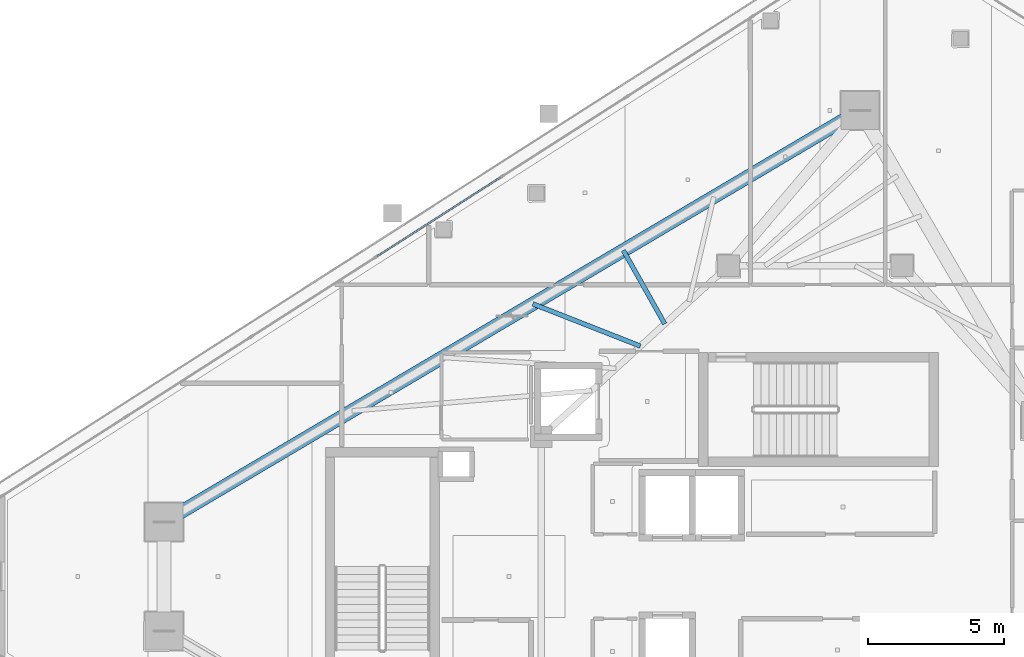
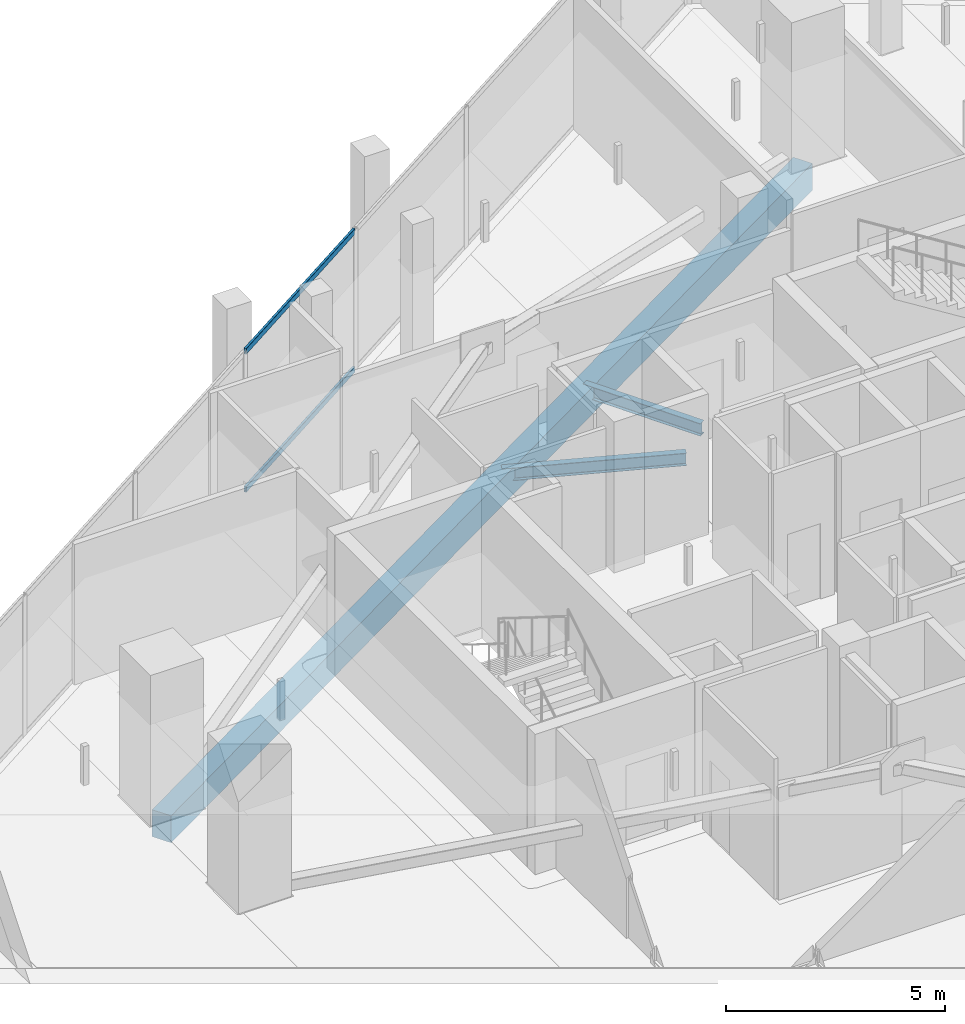
# One storey, part 14 of 30: 3 beams, 2 members, 1 element without a shape of its own.
"""IFC4 building model written with IfcOpenShell, lengths in metres."""

import ifcopenshell
import ifcopenshell.guid

model = None  # the IFC model being written
_history = None  # IfcOwnerHistory: only IFC2X3 demands one
_inside = {}  # id of a spatial element -> (the spatial element, [elements in it])
_under = {}  # id of a project, library or spatial element -> (it, [spatial elements below it])
_declared = {}  # id of a project -> (the project, [libraries it declares])
_typed = {}  # id of a type object -> (the type object, [elements of that type])
_made_of = {}  # id of a material, layer set ... -> (it, [elements and type objects made of it])


def new_model(schema):
    """Start an empty IFC model of exactly this schema.

    Asked for "IFC4X3", IfcOpenShell would pick the latest addendum, in which some entities
    have other attributes; the version numbers below select the first issue.
    IFC2X3 requires an IfcOwnerHistory on every rooted entity: one is made here for all.
    """
    global model, _history
    if schema == "IFC4X3":
        model = ifcopenshell.file(schema_version=(4, 3, 0, 0))
    else:
        model = ifcopenshell.file(schema=schema)
    _inside.clear()
    _under.clear()
    _declared.clear()
    _typed.clear()
    _made_of.clear()
    _history = None
    if model.schema == "IFC2X3":
        org = make("IfcOrganization", Name="unknown")
        user = make(
            "IfcPersonAndOrganization",
            ThePerson=make("IfcPerson", FamilyName="unknown"),
            TheOrganization=org,
        )
        app = make(
            "IfcApplication",
            ApplicationDeveloper=org,
            Version="unknown",
            ApplicationFullName="unknown",
            ApplicationIdentifier="unknown",
        )
        _history = make(
            "IfcOwnerHistory",
            OwningUser=user,
            OwningApplication=app,
            ChangeAction="ADDED",
            CreationDate=0,
        )
    return model


def make(cls, **values):
    """One entity of the class cls with the attributes given. An attribute that is None is left unset."""
    return model.create_entity(
        cls, **{name: value for name, value in values.items() if value is not None}
    )


def rooted(cls, **values):
    """An entity with a GlobalId (a new one), such as an element, a storey or a relation."""
    return make(cls, GlobalId=ifcopenshell.guid.new(), OwnerHistory=_history, **values)


def si_unit(unit_type, name, prefix=None):
    """IfcSIUnit, for example si_unit("LENGTHUNIT", "METRE", prefix="MILLI")."""
    return make("IfcSIUnit", UnitType=unit_type, Prefix=prefix, Name=name)


def assignment(units):
    """IfcUnitAssignment: the units of a project."""
    return None if units is None else make("IfcUnitAssignment", Units=units)


def point(xyz):
    """IfcCartesianPoint."""
    return None if xyz is None else make("IfcCartesianPoint", Coordinates=xyz)


def direction(xyz):
    """IfcDirection."""
    return None if xyz is None else make("IfcDirection", DirectionRatios=xyz)


def frame(location, z_axis=None, x_axis=None):
    """IfcAxis2Placement3D, a coordinate frame: its origin and axes. An axis left out is left unset."""
    return make(
        "IfcAxis2Placement3D",
        Location=point(location),
        Axis=direction(z_axis),
        RefDirection=direction(x_axis),
    )


def frame_2d(location, x_axis=None):
    """IfcAxis2Placement2D, a coordinate frame in the plane: its origin and x axis."""
    return make(
        "IfcAxis2Placement2D", Location=point(location), RefDirection=direction(x_axis)
    )


def origin():
    """The frame at (0, 0, 0) with its axes left unset."""
    return frame((0.0, 0.0, 0.0))


def origin_2d():
    """The frame at (0, 0) in the plane with its x axis left unset."""
    return frame_2d((0.0, 0.0))


def place(relative_to, where):
    """IfcLocalPlacement: puts the frame where relative to a parent placement (None: the world)."""
    return make(
        "IfcLocalPlacement", PlacementRelTo=relative_to, RelativePlacement=where
    )


def context(
    kind, dimensions, precision=None, world=None, true_north=None, identifier=None
):
    """IfcGeometricRepresentationContext, for example the 3D "Model" context."""
    return make(
        "IfcGeometricRepresentationContext",
        ContextIdentifier=identifier,
        ContextType=kind,
        CoordinateSpaceDimension=dimensions,
        Precision=precision,
        WorldCoordinateSystem=world,
        TrueNorth=true_north,
    )


def subcontext(parent, identifier, kind, view, scale=None):
    """IfcGeometricRepresentationSubContext, for example "Body" below "Model"."""
    return make(
        "IfcGeometricRepresentationSubContext",
        ContextIdentifier=identifier,
        ContextType=kind,
        ParentContext=parent,
        TargetScale=scale,
        TargetView=view,
    )


def project(units=None, contexts=None):
    """IfcProject with its units and contexts."""
    return rooted(
        "IfcProject",
        Name="project",
        RepresentationContexts=contexts,
        UnitsInContext=assignment(units),
    )


def spatial(cls, under=None, at=None, **own):
    """A site, building, storey or space (cls), placed at a placement, below another one or the project."""
    s = rooted(cls, ObjectPlacement=at, **own)
    if under is not None:
        _under.setdefault(under.id(), (under, []))[1].append(s)
    return s


def profile(cls, at=None, kind="AREA", **sizes):
    """A parametric profile (cls). Its sizes go by their IFC names, for example OverallWidth=200.0."""
    return make(cls, ProfileType=kind, Position=at, **sizes)


def rectangle(**sizes):
    """IfcRectangleProfileDef."""
    return profile("IfcRectangleProfileDef", **sizes)


def hollow_rectangle(**sizes):
    """IfcRectangleHollowProfileDef."""
    return profile("IfcRectangleHollowProfileDef", **sizes)


def i_section(**sizes):
    """IfcIShapeProfileDef."""
    return profile("IfcIShapeProfileDef", **sizes)


def extrude(swept, where, along, depth):
    """IfcExtrudedAreaSolid: the profile swept, set in the frame where, extruded along a direction by depth."""
    return make(
        "IfcExtrudedAreaSolid",
        SweptArea=swept,
        Position=where,
        ExtrudedDirection=direction(along),
        Depth=depth,
    )


def shape(context_of_items, identifier, shape_type, items):
    """IfcShapeRepresentation: the items that make up one representation, for example the "Body"."""
    return make(
        "IfcShapeRepresentation",
        ContextOfItems=context_of_items,
        RepresentationIdentifier=identifier,
        RepresentationType=shape_type,
        Items=items,
    )


def material(Name=None, Category=None):
    """IfcMaterial."""
    return make("IfcMaterial", Name=Name, Category=Category)


def layer(
    of_material, thickness, ventilated=None, Name=None, Category=None, Priority=None
):
    """IfcMaterialLayer: one layer of a wall or slab, of a material (None: an air gap)."""
    return make(
        "IfcMaterialLayer",
        Material=of_material,
        LayerThickness=thickness,
        IsVentilated=ventilated,
        Name=Name,
        Category=Category,
        Priority=Priority,
    )


def layer_set(layers, Name=None):
    """IfcMaterialLayerSet."""
    return make("IfcMaterialLayerSet", MaterialLayers=layers, LayerSetName=Name)


def material_profile(
    of_material, cross_section, Name=None, Category=None, Priority=None
):
    """IfcMaterialProfile: a cross section and its material."""
    return make(
        "IfcMaterialProfile",
        Name=Name,
        Material=of_material,
        Profile=cross_section,
        Priority=Priority,
        Category=Category,
    )


def profile_set(profiles, Name=None, composite=None):
    """IfcMaterialProfileSet."""
    return make(
        "IfcMaterialProfileSet",
        Name=Name,
        MaterialProfiles=profiles,
        CompositeProfile=composite,
    )


def made_of(thing, what):
    """Note that an element or type object is made of a material, layer set ...; save() writes the relation."""
    if what is not None:
        _made_of.setdefault(what.id(), (what, []))[1].append(thing)
    return thing


def type_object(cls, material=None, **own):
    """A type object (cls), such as IfcWallType, which elements share."""
    return made_of(rooted(cls, **own), material)


def element(
    cls,
    number,
    at=None,
    inside=None,
    cuts=None,
    type_object=None,
    material=None,
    context=None,
    identifier="Body",
    shape_type=None,
    held_by="IfcProductDefinitionShape",
    body=None,
    shapes=None,
    **own,
):
    """One element of the class cls, such as IfcWall. Its Tag is "e" and its number.

    at: its placement. inside: the storey or other place that contains it. cuts: it is an
    opening in that element (IfcRelVoidsElement). A single representation is given by context,
    identifier, shape_type and body (its items); several are given by shapes. held_by: the class
    of the entity that holds the representations. save() writes the other relations.
    """
    e = rooted(cls, Tag="e%d" % number, ObjectPlacement=at, **own)
    if body is not None:
        shapes = [shape(context, identifier, shape_type, body)]
    if shapes is not None:
        e.Representation = make(held_by, Representations=shapes)
    if inside is not None:
        _inside.setdefault(inside.id(), (inside, []))[1].append(e)
    if cuts is not None:
        rooted(
            "IfcRelVoidsElement", RelatingBuildingElement=cuts, RelatedOpeningElement=e
        )
    if type_object is not None:
        _typed.setdefault(type_object.id(), (type_object, []))[1].append(e)
    return made_of(e, material)


def aggregate(whole, parts):
    """IfcRelAggregates: a whole, such as a stair, and the parts it consists of."""
    return rooted("IfcRelAggregates", RelatingObject=whole, RelatedObjects=parts)


def save(model, path):
    """Write the relations noted so far, then the file.

    IfcRelAggregates (storeys below a building ...), IfcRelContainedInSpatialStructure (elements
    in a storey), IfcRelDefinesByType, IfcRelAssociatesMaterial and IfcRelDeclares: one each for
    every whole, place, type object, material and project.
    """
    for whole, parts in _under.values():
        aggregate(whole, parts)
    for where, things in _inside.values():
        rooted(
            "IfcRelContainedInSpatialStructure",
            RelatedElements=things,
            RelatingStructure=where,
        )
    for kind, things in _typed.values():
        rooted("IfcRelDefinesByType", RelatedObjects=things, RelatingType=kind)
    for what, things in _made_of.values():
        rooted("IfcRelAssociatesMaterial", RelatedObjects=things, RelatingMaterial=what)
    for by, libraries in _declared.values():
        rooted("IfcRelDeclares", RelatingContext=by, RelatedDefinitions=libraries)
    model.write(path)


model = new_model("IFC4")

# Units and contexts
model_context = context("Model", 3, precision=1e-05, world=origin(), true_north=direction((0.0, 1.0)))
body_context = subcontext(model_context, "Body", "Model", "MODEL_VIEW")
ifc_project = project(units=[si_unit("LENGTHUNIT", "METRE"), si_unit("AREAUNIT", "SQUARE_METRE"), si_unit("VOLUMEUNIT", "CUBIC_METRE"), si_unit("PLANEANGLEUNIT", "RADIAN"), si_unit("MASSUNIT", "GRAM", prefix="KILO")], contexts=[model_context])

# Site, building, storey
site_placement = place(None, origin())
site = spatial("IfcSite", under=ifc_project, at=site_placement, CompositionType="ELEMENT")
building_placement = place(site_placement, origin())
building = spatial("IfcBuilding", under=site, at=building_placement, Name="Qorvath Tower", CompositionType="ELEMENT")
storey_placement = place(building_placement, frame((0.0, 0.0, 289.199951171875)))
storey = spatial("IfcBuildingStorey", under=building, at=storey_placement, Name="L67", CompositionType="ELEMENT", Elevation=289.199951171875)

# Beams
ifc_material_1 = material(Name="Steel ASTM A992 Grade 50", Category="steel")
ifc_material_profile_1 = material_profile(ifc_material_1, i_section(OverallWidth=0.1708984375, OverallDepth=0.35107421875, WebThickness=0.0068359375, FlangeThickness=0.009765625, FilletRadius=0.010009765625, at=origin_2d()), Name="W14x30")
ifc_profile_set_1 = profile_set([ifc_material_profile_1], Name="Steel ASTM A992 Grade 50")
beam_type_1 = type_object("IfcBeamType", Name="BM-FJ4", PredefinedType="JOIST", material=ifc_profile_set_1)
beam_1_placement = place(storey_placement, frame((-26.843017578125, 8.489013671875, -0.465576171875), z_axis=(-0.930720832638, 0.365730408489, 0.0), x_axis=(-0.365730408489, -0.930720832638, 0.0)))
element("IfcBeam", 1, at=beam_1_placement, inside=storey, type_object=beam_type_1, Name="Composite Floor Joist NW4 L67", PredefinedType="JOIST", context=body_context, shape_type="SweptSolid", body=[
    extrude(i_section(OverallWidth=0.1708984375, OverallDepth=0.35107421875, WebThickness=0.0068359375, FlangeThickness=0.009765625, FilletRadius=0.010009765625, at=origin_2d()), origin(), (0.0, 0.0, 1.0), 4.259033203125),
])
beam_2_placement = place(storey_placement, frame((-25.946044921875, 9.30810546875, -0.465576171875), z_axis=(-0.490626385489, 0.871370041866, 0.0), x_axis=(-0.871370041866, -0.490626385489, 0.0)))
element("IfcBeam", 2, at=beam_2_placement, inside=storey, type_object=beam_type_1, Name="Composite Floor Joist NW5 L67", PredefinedType="JOIST", context=body_context, shape_type="SweptSolid", body=[
    extrude(i_section(OverallWidth=0.1708984375, OverallDepth=0.35107421875, WebThickness=0.0068359375, FlangeThickness=0.009765625, FilletRadius=0.010009765625, at=origin_2d()), origin(), (0.0, 0.0, 1.0), 3.110595703125),
])
ifc_material_2 = material(Name="Concrete C45/55", Category="concrete")
ifc_material_profile_2 = material_profile(ifc_material_2, rectangle(XDim=0.5, YDim=0.75, at=origin_2d()), Name="RCB 750x500")
ifc_profile_set_2 = profile_set([ifc_material_profile_2], Name="Concrete C45/55")
beam_type_2 = type_object("IfcBeamType", Name="BM-RCB3", PredefinedType="SPANDREL", material=ifc_profile_set_2)
beam_3_placement = place(storey_placement, frame((-18.75048828125, 17.175537109375, -0.6650390625), z_axis=(-0.860780849348, -0.508975765038, 0.0), x_axis=(0.508975765038, -0.860780849348, 0.0)))
element("IfcBeam", 3, at=beam_3_placement, inside=storey, type_object=beam_type_2, Name="Perimeter Loggia Frame Beam MC6-MC1 L67", PredefinedType="SPANDREL", context=body_context, shape_type="SweptSolid", body=[
    extrude(rectangle(XDim=0.5, YDim=0.75, at=origin_2d()), origin(), (0.0, 0.0, 1.0), 29.801025390625),
])

# Curtain wall, members
ifc_material_3 = material(Name="Anodised aluminium and triple low-E glass", Category="aluminium")
ifc_layer = layer(ifc_material_3, 0.179931640625)
ifc_layer_set = layer_set([ifc_layer], Name="CW-SYS-5")
curtain_wall_type = type_object("IfcCurtainWallType", Name="CW-SYS-5", PredefinedType="NOTDEFINED", material=ifc_layer_set)
curtain_wall_placement = place(storey_placement, origin())
curtain_wall = element("IfcCurtainWall", 4, at=curtain_wall_placement, inside=storey, type_object=curtain_wall_type, Name="Curtain Wall CW-5 CW-T-L67-16.1", PredefinedType="NOTDEFINED")
ifc_material_4 = material(Name="Anodised aluminium 6063-T6", Category="aluminium")
ifc_material_profile_3 = material_profile(ifc_material_4, hollow_rectangle(XDim=0.06494140625, YDim=0.159912109375, WallThickness=0.00341796875, InnerFilletRadius=0.00341796875, OuterFilletRadius=0.007080078125, at=origin_2d()), Name="CWT 160x65")
ifc_profile_set_3 = profile_set([ifc_material_profile_3], Name="Anodised aluminium 6063-T6")
member_type = type_object("IfcMemberType", Name="CWT-160", PredefinedType="USERDEFINED", material=ifc_profile_set_3)
member_1_placement = place(storey_placement, frame((-32.0029296875, 14.7080078125, 0.032470703125), z_axis=(-0.842603282272, -0.538534779475, 0.0), x_axis=(0.538534779475, -0.842603282272, 0.0)))
member_1 = element("IfcMember", 5, at=member_1_placement, type_object=member_type, Name="CW-5 transom 4.1", ObjectType="TRANSOM", PredefinedType="USERDEFINED", context=body_context, shape_type="SweptSolid", body=[
    extrude(hollow_rectangle(XDim=0.06494140625, YDim=0.159912109375, WallThickness=0.00341796875, InnerFilletRadius=0.00341796875, OuterFilletRadius=0.007080078125, at=origin_2d()), origin(), (0.0, 0.0, 1.0), 5.394775390625),
])
member_2_placement = place(storey_placement, frame((-32.0029296875, 14.7080078125, 3.877685546875), z_axis=(-0.842603282272, -0.538534779475, 0.0), x_axis=(0.538534779475, -0.842603282272, 0.0)))
member_2 = element("IfcMember", 6, at=member_2_placement, type_object=member_type, Name="CW-5 transom 4.2", ObjectType="TRANSOM", PredefinedType="USERDEFINED", context=body_context, shape_type="SweptSolid", body=[
    extrude(hollow_rectangle(XDim=0.06494140625, YDim=0.159912109375, WallThickness=0.00341796875, InnerFilletRadius=0.00341796875, OuterFilletRadius=0.007080078125, at=origin_2d()), origin(), (0.0, 0.0, 1.0), 5.394775390625),
])
aggregate(curtain_wall, [member_1, member_2])

save(model, "model.ifc")
